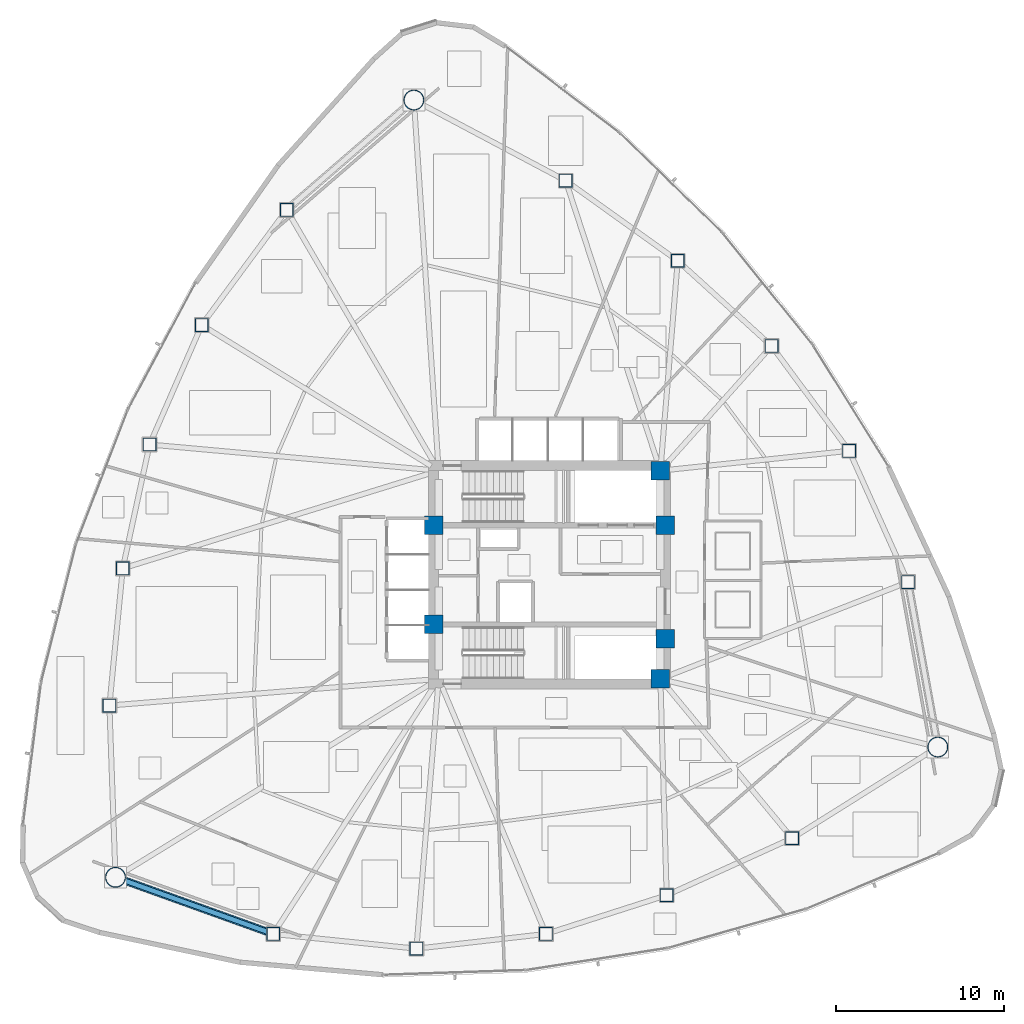
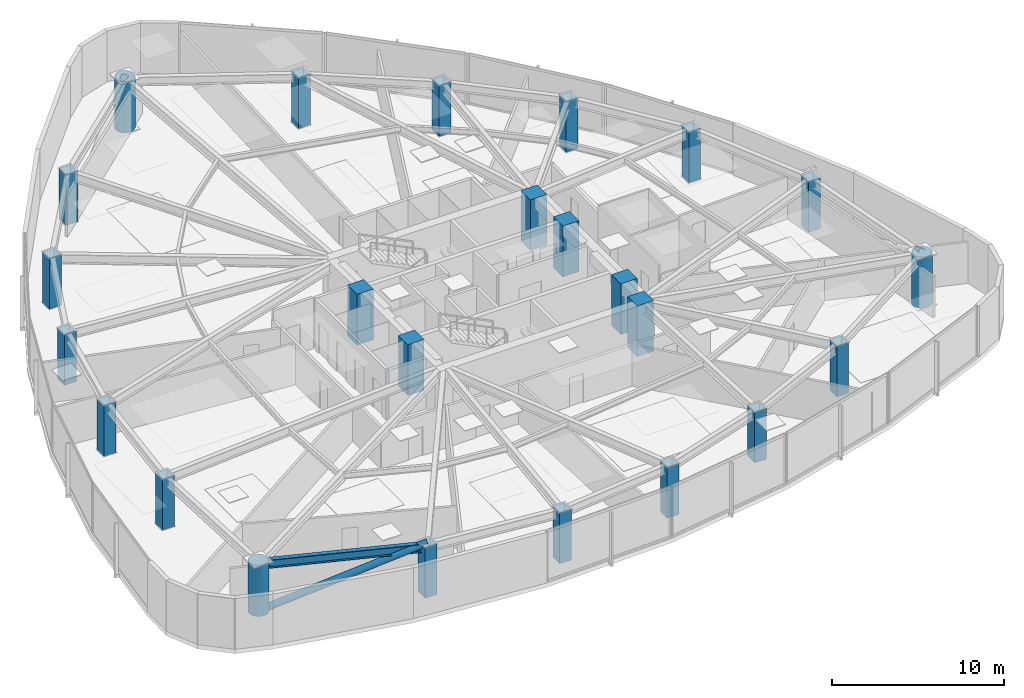
# One storey, part 1 of 18: 24 columns, 1 beam, 1 member.
"""IFC4 building model written with IfcOpenShell, lengths in metres."""

from ifc_helpers import new_model, si_unit, direction, frame, origin, origin_2d, place, context, subcontext, project, spatial, rectangle, hollow_rectangle, hollow_circle, i_section, extrude, material, material_profile, profile_set, type_object, element, save


model = new_model("IFC4")

# Units and contexts
model_context = context("Model", 3, precision=1e-05, world=origin(), true_north=direction((0.0, 1.0)))
body_context = subcontext(model_context, "Body", "Model", "MODEL_VIEW")
ifc_project = project(units=[si_unit("LENGTHUNIT", "METRE"), si_unit("AREAUNIT", "SQUARE_METRE"), si_unit("VOLUMEUNIT", "CUBIC_METRE"), si_unit("PLANEANGLEUNIT", "RADIAN"), si_unit("MASSUNIT", "GRAM", prefix="KILO")], contexts=[model_context])

# Site, building, storey
site_placement = place(None, origin())
site = spatial("IfcSite", under=ifc_project, at=site_placement, CompositionType="ELEMENT")
building_placement = place(site_placement, origin())
building = spatial("IfcBuilding", under=site, at=building_placement, Name="Tavelor Broadcast Tower", CompositionType="ELEMENT")
storey_placement = place(building_placement, frame((0.0, 0.0, 47.10009765625)))
storey = spatial("IfcBuildingStorey", under=building, at=storey_placement, Name="L10", CompositionType="ELEMENT", Elevation=47.10009765625)

# Columns
ifc_material_1 = material(Name="Concrete C60/75", Category="concrete")
ifc_material_profile_1 = material_profile(ifc_material_1, rectangle(XDim=1.10009765625, YDim=1.10009765625, at=origin_2d()), Name="RC 1100x1100")
ifc_profile_set_1 = profile_set([ifc_material_profile_1], Name="Concrete C60/75")
column_type_1 = type_object("IfcColumnType", Name="Core Embedded Composite Column RC1100", PredefinedType="COLUMN", material=ifc_profile_set_1)
for number, where, z_axis, x_axis, name in (
    (1, (43.10009765625, 47.949951171875, 0.0), (0.0, 0.0, 1.0), (1.0, 0.0, 0.0), "L10 Core Embedded Column 1"),
    (2, (56.89990234375, 47.949951171875, 0.0), (0.0, 0.0, 1.0), (1.0, 0.0, 0.0), "L10 Core Embedded Column 2"),
    (3, (56.60009765625, 51.199951171875, 0.0), (0.0, 0.0, 1.0), (1.0, 0.0, 0.0), "L10 Core Embedded Column 3"),
    (4, (43.10009765625, 42.050048828125, 0.0), (0.0, 0.0, 1.0), (1.0, 0.0, 0.0), "L10 Core Embedded Column 4"),
    (5, (56.89990234375, 41.199951171875, 0.0), (0.0, 0.0, 1.0), (1.0, 0.0, 0.0), "L10 Core Embedded Column 5"),
    (6, (56.60009765625, 38.800048828125, 0.0), (0.0, 0.0, 1.0), (1.0, 0.0, 0.0), "L10 Core Embedded Column 6"),
):
    element("IfcColumn", number, at=place(storey_placement, frame(where, z_axis=z_axis, x_axis=x_axis)), inside=storey, type_object=column_type_1, Name=name, PredefinedType="COLUMN", context=body_context, shape_type="SweptSolid", body=[
        extrude(rectangle(XDim=1.10009765625, YDim=1.10009765625, at=origin_2d()), origin(), (0.0, 0.0, 1.0), 3.599853515625),
    ])
ifc_material_2 = material(Name="Steel S460", Category="steel")
ifc_material_profile_2 = material_profile(ifc_material_2, hollow_rectangle(XDim=0.800048828125, YDim=0.800048828125, WallThickness=0.044921875, at=origin_2d()), Name="SHS 800x800x45")
ifc_profile_set_2 = profile_set([ifc_material_profile_2], Name="Steel S460")
column_type_2 = type_object("IfcColumnType", Name="Perimeter Tube Column T1 SHS 800x800x45", PredefinedType="COLUMN", material=ifc_profile_set_2)
for number, where, z_axis, x_axis, name in (
    (7, (34.356201171875, 66.727783203125, 0.0), (0.0, 0.0, 1.0), (1.0, 0.0, 0.0), "L10 Perimeter Framed-Tube Column 02"),
    (8, (29.292236328125, 59.87158203125, 0.0), (0.0, 0.0, 1.0), (1.0, 0.0, 0.0), "L10 Perimeter Framed-Tube Column 03"),
    (9, (26.189208984375, 52.75830078125, 0.0), (0.0, 0.0, 1.0), (1.0, 0.0, 0.0), "L10 Perimeter Framed-Tube Column 04"),
    (10, (24.58984375, 45.380615234375, 0.0), (0.0, 0.0, 1.0), (1.0, 0.0, 0.0), "L10 Perimeter Framed-Tube Column 05"),
    (11, (23.794677734375, 37.21630859375, 0.0), (0.0, 0.0, 1.0), (1.0, 0.0, 0.0), "L10 Perimeter Framed-Tube Column 06"),
    (12, (33.55078125, 23.615478515625, 0.0), (0.0, 0.0, 1.0), (1.0, 0.0, 0.0), "L10 Perimeter Framed-Tube Column 08"),
    (13, (42.0732421875, 22.740478515625, 0.0), (0.0, 0.0, 1.0), (1.0, 0.0, 0.0), "L10 Perimeter Framed-Tube Column 09"),
    (14, (49.78662109375, 23.617919921875, 0.0), (0.0, 0.0, 1.0), (1.0, 0.0, 0.0), "L10 Perimeter Framed-Tube Column 10"),
    (15, (56.975341796875, 25.92138671875, 0.0), (0.0, 0.0, 1.0), (1.0, 0.0, 0.0), "L10 Perimeter Framed-Tube Column 11"),
    (16, (64.443603515625, 29.31494140625, 0.0), (0.0, 0.0, 1.0), (1.0, 0.0, 0.0), "L10 Perimeter Framed-Tube Column 12"),
    (17, (71.343994140625, 44.564697265625, 0.0), (0.0, 0.0, 1.0), (1.0, 0.0, 0.0), "L10 Perimeter Framed-Tube Column 14"),
    (18, (67.8408203125, 52.382568359375, 0.0), (0.0, 0.0, 1.0), (1.0, 0.0, 0.0), "L10 Perimeter Framed-Tube Column 15"),
    (19, (63.22412109375, 58.623779296875, 0.0), (0.0, 0.0, 1.0), (1.0, 0.0, 0.0), "L10 Perimeter Framed-Tube Column 16"),
    (20, (57.634765625, 63.69775390625, 0.0), (0.0, 0.0, 1.0), (1.0, 0.0, 0.0), "L10 Perimeter Framed-Tube Column 17"),
    (21, (50.9619140625, 68.468505859375, 0.0), (0.0, 0.0, 1.0), (1.0, 0.0, 0.0), "L10 Perimeter Framed-Tube Column 18"),
):
    element("IfcColumn", number, at=place(storey_placement, frame(where, z_axis=z_axis, x_axis=x_axis)), inside=storey, type_object=column_type_2, Name=name, PredefinedType="COLUMN", context=body_context, shape_type="SweptSolid", body=[
        extrude(hollow_rectangle(XDim=0.800048828125, YDim=0.800048828125, WallThickness=0.044921875, at=origin_2d()), origin(), (0.0, 0.0, 1.0), 3.599853515625),
    ])
ifc_material_profile_3 = material_profile(ifc_material_2, hollow_circle(Radius=0.609619140625, WallThickness=0.050048828125, at=origin_2d()), Name="CHS 1219x50")
ifc_profile_set_3 = profile_set([ifc_material_profile_3], Name="Steel S460")
column_type_3 = type_object("IfcColumnType", Name="Tower Mega Column T1 CHS 1219x50", PredefinedType="COLUMN", material=ifc_profile_set_3)
for number, where, z_axis, x_axis, name in (
    (22, (41.923095703125, 73.266357421875, 0.0), (0.0, 0.0, 1.0), (1.0, 0.0, 0.0), "L10 Tower Corner Mega Column 01"),
    (23, (24.1591796875, 26.98974609375, 0.0), (0.0, 0.0, 1.0), (1.0, 0.0, 0.0), "L10 Tower Corner Mega Column 07"),
    (24, (73.117919921875, 34.743896484375, 0.0), (0.0, 0.0, 1.0), (1.0, 0.0, 0.0), "L10 Tower Corner Mega Column 13"),
):
    element("IfcColumn", number, at=place(storey_placement, frame(where, z_axis=z_axis, x_axis=x_axis)), inside=storey, type_object=column_type_3, Name=name, PredefinedType="COLUMN", context=body_context, shape_type="SweptSolid", body=[
        extrude(hollow_circle(Radius=0.609619140625, WallThickness=0.050048828125, at=origin_2d()), origin(), (0.0, 0.0, 1.0), 3.599853515625),
    ])

# Beam
ifc_material_3 = material(Name="Steel S355", Category="steel")
ifc_material_profile_4 = material_profile(ifc_material_3, i_section(OverallWidth=0.300048828125, OverallDepth=0.60009765625, WebThickness=0.015380859375, FlangeThickness=0.030029296875, at=origin_2d()), Name="HEB 600")
ifc_profile_set_4 = profile_set([ifc_material_profile_4], Name="Steel S355")
beam_type = type_object("IfcBeamType", Name="Perimeter Spandrel Beam T1 HEB 600", PredefinedType="SPANDREL", material=ifc_profile_set_4)
beam_placement = place(storey_placement, frame((24.709716796875, 26.7919921875, 3.2998046875), z_axis=(0.941102066303, -0.338122612081, 0.0), x_axis=(0.338122612081, 0.941102066303, 0.0)))
element("IfcBeam", 25, at=beam_placement, inside=storey, type_object=beam_type, Name="L10 Framed-Tube Ring Spandrel 07", PredefinedType="SPANDREL", context=body_context, shape_type="SweptSolid", body=[
    extrude(i_section(OverallWidth=0.300048828125, OverallDepth=0.60009765625, WebThickness=0.015380859375, FlangeThickness=0.030029296875, at=origin_2d()), origin(), (0.0, 0.0, 1.0), 9.010498046875),
])

# Member
ifc_material_profile_5 = material_profile(ifc_material_3, hollow_circle(Radius=0.228515625, WallThickness=0.02001953125, at=origin_2d()), Name="CHS 457x20")
ifc_profile_set_5 = profile_set([ifc_material_profile_5], Name="Steel S355")
member_type = type_object("IfcMemberType", Name="Perimeter Tube Brace T1 CHS 457x20", PredefinedType="BRACE", material=ifc_profile_set_5)
member_placement = place(storey_placement, frame((24.1591796875, 26.98974609375, 0.0), z_axis=(0.885264543661, -0.31806283815, 0.339326861191), x_axis=(0.338124247145, 0.941101478849, 0.0)))
element("IfcMember", 26, at=member_placement, inside=storey, type_object=member_type, Name="L10 Corner Tube Diagonal Brace 2", PredefinedType="BRACE", context=body_context, shape_type="SweptSolid", body=[
    extrude(hollow_circle(Radius=0.228515625, WallThickness=0.02001953125, at=origin_2d()), origin(), (0.0, 0.0, 1.0), 10.60888671875),
])

save(model, "model.ifc")
